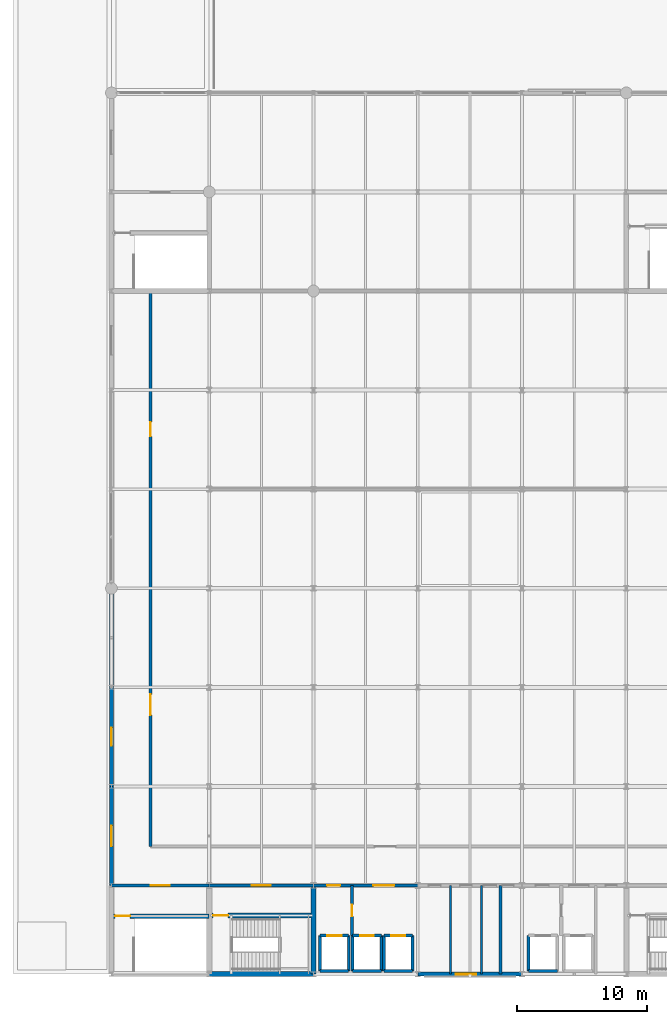
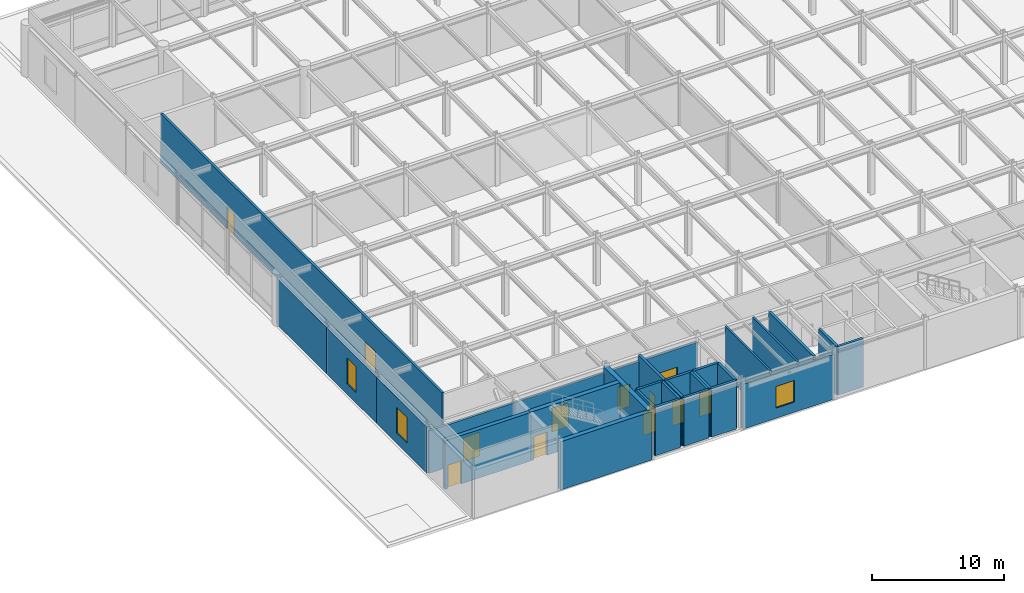
# One storey, part 33 of 43: 30 walls, 12 doors, 3 windows, 15 openings.
"""IFC4 building model written with IfcOpenShell, lengths in metres."""

import ifcopenshell
import ifcopenshell.guid

model = None  # the IFC model being written
_history = None  # IfcOwnerHistory: only IFC2X3 demands one
_inside = {}  # id of a spatial element -> (the spatial element, [elements in it])
_under = {}  # id of a project, library or spatial element -> (it, [spatial elements below it])
_declared = {}  # id of a project -> (the project, [libraries it declares])
_typed = {}  # id of a type object -> (the type object, [elements of that type])
_made_of = {}  # id of a material, layer set ... -> (it, [elements and type objects made of it])


def new_model(schema):
    """Start an empty IFC model of exactly this schema.

    Asked for "IFC4X3", IfcOpenShell would pick the latest addendum, in which some entities
    have other attributes; the version numbers below select the first issue.
    IFC2X3 requires an IfcOwnerHistory on every rooted entity: one is made here for all.
    """
    global model, _history
    if schema == "IFC4X3":
        model = ifcopenshell.file(schema_version=(4, 3, 0, 0))
    else:
        model = ifcopenshell.file(schema=schema)
    _inside.clear()
    _under.clear()
    _declared.clear()
    _typed.clear()
    _made_of.clear()
    _history = None
    if model.schema == "IFC2X3":
        org = make("IfcOrganization", Name="unknown")
        user = make(
            "IfcPersonAndOrganization",
            ThePerson=make("IfcPerson", FamilyName="unknown"),
            TheOrganization=org,
        )
        app = make(
            "IfcApplication",
            ApplicationDeveloper=org,
            Version="unknown",
            ApplicationFullName="unknown",
            ApplicationIdentifier="unknown",
        )
        _history = make(
            "IfcOwnerHistory",
            OwningUser=user,
            OwningApplication=app,
            ChangeAction="ADDED",
            CreationDate=0,
        )
    return model


def make(cls, **values):
    """One entity of the class cls with the attributes given. An attribute that is None is left unset."""
    return model.create_entity(
        cls, **{name: value for name, value in values.items() if value is not None}
    )


def rooted(cls, **values):
    """An entity with a GlobalId (a new one), such as an element, a storey or a relation."""
    return make(cls, GlobalId=ifcopenshell.guid.new(), OwnerHistory=_history, **values)


def si_unit(unit_type, name, prefix=None):
    """IfcSIUnit, for example si_unit("LENGTHUNIT", "METRE", prefix="MILLI")."""
    return make("IfcSIUnit", UnitType=unit_type, Prefix=prefix, Name=name)


def assignment(units):
    """IfcUnitAssignment: the units of a project."""
    return None if units is None else make("IfcUnitAssignment", Units=units)


def point(xyz):
    """IfcCartesianPoint."""
    return None if xyz is None else make("IfcCartesianPoint", Coordinates=xyz)


def direction(xyz):
    """IfcDirection."""
    return None if xyz is None else make("IfcDirection", DirectionRatios=xyz)


def frame(location, z_axis=None, x_axis=None):
    """IfcAxis2Placement3D, a coordinate frame: its origin and axes. An axis left out is left unset."""
    return make(
        "IfcAxis2Placement3D",
        Location=point(location),
        Axis=direction(z_axis),
        RefDirection=direction(x_axis),
    )


def frame_2d(location, x_axis=None):
    """IfcAxis2Placement2D, a coordinate frame in the plane: its origin and x axis."""
    return make(
        "IfcAxis2Placement2D", Location=point(location), RefDirection=direction(x_axis)
    )


def origin():
    """The frame at (0, 0, 0) with its axes left unset."""
    return frame((0.0, 0.0, 0.0))


def place(relative_to, where):
    """IfcLocalPlacement: puts the frame where relative to a parent placement (None: the world)."""
    return make(
        "IfcLocalPlacement", PlacementRelTo=relative_to, RelativePlacement=where
    )


def context(
    kind, dimensions, precision=None, world=None, true_north=None, identifier=None
):
    """IfcGeometricRepresentationContext, for example the 3D "Model" context."""
    return make(
        "IfcGeometricRepresentationContext",
        ContextIdentifier=identifier,
        ContextType=kind,
        CoordinateSpaceDimension=dimensions,
        Precision=precision,
        WorldCoordinateSystem=world,
        TrueNorth=true_north,
    )


def subcontext(parent, identifier, kind, view, scale=None):
    """IfcGeometricRepresentationSubContext, for example "Body" below "Model"."""
    return make(
        "IfcGeometricRepresentationSubContext",
        ContextIdentifier=identifier,
        ContextType=kind,
        ParentContext=parent,
        TargetScale=scale,
        TargetView=view,
    )


def project(units=None, contexts=None):
    """IfcProject with its units and contexts."""
    return rooted(
        "IfcProject",
        Name="project",
        RepresentationContexts=contexts,
        UnitsInContext=assignment(units),
    )


def spatial(cls, under=None, at=None, **own):
    """A site, building, storey or space (cls), placed at a placement, below another one or the project."""
    s = rooted(cls, ObjectPlacement=at, **own)
    if under is not None:
        _under.setdefault(under.id(), (under, []))[1].append(s)
    return s


def profile(cls, at=None, kind="AREA", **sizes):
    """A parametric profile (cls). Its sizes go by their IFC names, for example OverallWidth=200.0."""
    return make(cls, ProfileType=kind, Position=at, **sizes)


def rectangle(**sizes):
    """IfcRectangleProfileDef."""
    return profile("IfcRectangleProfileDef", **sizes)


def extrude(swept, where, along, depth):
    """IfcExtrudedAreaSolid: the profile swept, set in the frame where, extruded along a direction by depth."""
    return make(
        "IfcExtrudedAreaSolid",
        SweptArea=swept,
        Position=where,
        ExtrudedDirection=direction(along),
        Depth=depth,
    )


def shape(context_of_items, identifier, shape_type, items):
    """IfcShapeRepresentation: the items that make up one representation, for example the "Body"."""
    return make(
        "IfcShapeRepresentation",
        ContextOfItems=context_of_items,
        RepresentationIdentifier=identifier,
        RepresentationType=shape_type,
        Items=items,
    )


def material(Name=None, Category=None):
    """IfcMaterial."""
    return make("IfcMaterial", Name=Name, Category=Category)


def layer(
    of_material, thickness, ventilated=None, Name=None, Category=None, Priority=None
):
    """IfcMaterialLayer: one layer of a wall or slab, of a material (None: an air gap)."""
    return make(
        "IfcMaterialLayer",
        Material=of_material,
        LayerThickness=thickness,
        IsVentilated=ventilated,
        Name=Name,
        Category=Category,
        Priority=Priority,
    )


def layer_set(layers, Name=None):
    """IfcMaterialLayerSet."""
    return make("IfcMaterialLayerSet", MaterialLayers=layers, LayerSetName=Name)


def made_of(thing, what):
    """Note that an element or type object is made of a material, layer set ...; save() writes the relation."""
    if what is not None:
        _made_of.setdefault(what.id(), (what, []))[1].append(thing)
    return thing


def type_object(cls, material=None, **own):
    """A type object (cls), such as IfcWallType, which elements share."""
    return made_of(rooted(cls, **own), material)


def element(
    cls,
    number,
    at=None,
    inside=None,
    cuts=None,
    type_object=None,
    material=None,
    context=None,
    identifier="Body",
    shape_type=None,
    held_by="IfcProductDefinitionShape",
    body=None,
    shapes=None,
    **own,
):
    """One element of the class cls, such as IfcWall. Its Tag is "e" and its number.

    at: its placement. inside: the storey or other place that contains it. cuts: it is an
    opening in that element (IfcRelVoidsElement). A single representation is given by context,
    identifier, shape_type and body (its items); several are given by shapes. held_by: the class
    of the entity that holds the representations. save() writes the other relations.
    """
    e = rooted(cls, Tag="e%d" % number, ObjectPlacement=at, **own)
    if body is not None:
        shapes = [shape(context, identifier, shape_type, body)]
    if shapes is not None:
        e.Representation = make(held_by, Representations=shapes)
    if inside is not None:
        _inside.setdefault(inside.id(), (inside, []))[1].append(e)
    if cuts is not None:
        rooted(
            "IfcRelVoidsElement", RelatingBuildingElement=cuts, RelatedOpeningElement=e
        )
    if type_object is not None:
        _typed.setdefault(type_object.id(), (type_object, []))[1].append(e)
    return made_of(e, material)


def fill(opening, filler):
    """IfcRelFillsElement: the door or window that sits in an opening."""
    return rooted(
        "IfcRelFillsElement",
        RelatingOpeningElement=opening,
        RelatedBuildingElement=filler,
    )


def aggregate(whole, parts):
    """IfcRelAggregates: a whole, such as a stair, and the parts it consists of."""
    return rooted("IfcRelAggregates", RelatingObject=whole, RelatedObjects=parts)


def save(model, path):
    """Write the relations noted so far, then the file.

    IfcRelAggregates (storeys below a building ...), IfcRelContainedInSpatialStructure (elements
    in a storey), IfcRelDefinesByType, IfcRelAssociatesMaterial and IfcRelDeclares: one each for
    every whole, place, type object, material and project.
    """
    for whole, parts in _under.values():
        aggregate(whole, parts)
    for where, things in _inside.values():
        rooted(
            "IfcRelContainedInSpatialStructure",
            RelatedElements=things,
            RelatingStructure=where,
        )
    for kind, things in _typed.values():
        rooted("IfcRelDefinesByType", RelatedObjects=things, RelatingType=kind)
    for what, things in _made_of.values():
        rooted("IfcRelAssociatesMaterial", RelatedObjects=things, RelatingMaterial=what)
    for by, libraries in _declared.values():
        rooted("IfcRelDeclares", RelatingContext=by, RelatedDefinitions=libraries)
    model.write(path)


model = new_model("IFC4")

# Units and contexts
model_context = context("Model", 3, precision=1e-05, world=origin(), true_north=direction((0.0, 1.0)))
body_context = subcontext(model_context, "Body", "Model", "MODEL_VIEW")
ifc_project = project(units=[si_unit("LENGTHUNIT", "METRE"), si_unit("AREAUNIT", "SQUARE_METRE"), si_unit("VOLUMEUNIT", "CUBIC_METRE"), si_unit("PLANEANGLEUNIT", "RADIAN"), si_unit("MASSUNIT", "GRAM", prefix="KILO")], contexts=[model_context])

# Site, building, storey
site_placement = place(None, origin())
site = spatial("IfcSite", under=ifc_project, at=site_placement, CompositionType="ELEMENT")
building_placement = place(site_placement, origin())
building = spatial("IfcBuilding", under=site, at=building_placement, Name="Shalkamar Park Central Library", CompositionType="ELEMENT")
storey_placement = place(building_placement, frame((0.0, 0.0, 15.60009765625)))
storey = spatial("IfcBuildingStorey", under=building, at=storey_placement, Name="L04", CompositionType="ELEMENT", Elevation=15.60009765625)

# Wall, opening, door
ifc_material_1 = material(Name="Reinforced fire-compartment masonry wall", Category="masonry")
ifc_layer_1 = layer(ifc_material_1, 0.239990234375)
ifc_layer_set_1 = layer_set([ifc_layer_1], Name="CompartmentWall_240")
wall_type_1 = type_object("IfcWallType", Name="Compartment Wall 240", PredefinedType="PARTITIONING", material=ifc_layer_set_1)
wall_1_placement = place(storey_placement, frame((175.949951171875, 251.35009765625, 0.0), z_axis=(0.0, 0.0, 1.0), x_axis=(0.0, 1.0, 0.0)))
wall_1 = element("IfcWall", 1, at=wall_1_placement, inside=storey, type_object=wall_type_1, Name="Interior Partition WL-INT-L04-001", PredefinedType="PARTITIONING", context=body_context, shape_type="SweptSolid", body=[
    extrude(rectangle(XDim=3.849853515625, YDim=0.239990234375, at=frame_2d((1.9248046875, 0.0))), origin(), (0.0, 0.0, 1.0), 4.47998046875),
])
opening_1_placement = place(wall_1_placement, frame((1.47509765625, 0.0, 0.0)))
opening_1 = element("IfcOpeningElement", 2, at=opening_1_placement, cuts=wall_1, Name="Opening DR-L04-001", PredefinedType="OPENING", context=body_context, shape_type="SweptSolid", body=[
    extrude(rectangle(XDim=0.89990234375, YDim=2.10009765625, at=frame_2d((0.449951171875, 1.050048828125))), frame((0.0, 0.134765625, 0.0), z_axis=(0.0, -1.0, 0.0), x_axis=(1.0, 0.0, 0.0)), (0.0, 0.0, 1.0), 0.269775390625),
])
ifc_material_2 = material(Name="Steel S355", Category="steel")
door_type_1 = type_object("IfcDoorType", Name="Fire Door Single 900x2100", OperationType="NOTDEFINED", PredefinedType="DOOR", material=ifc_material_2)
door_1_placement = place(opening_1_placement, frame((0.89990234375, 0.0, 0.0), z_axis=(0.0, 0.0, 1.0), x_axis=(-1.0, 0.0, 0.0)))
door_1 = element("IfcDoor", 3, at=door_1_placement, inside=storey, type_object=door_type_1, Name="Fire Lobby Interconnect Door", OperationType="SINGLE_SWING_LEFT", OverallHeight=2.10009765625, OverallWidth=0.89990234375, PredefinedType="DOOR", context=body_context, shape_type="SweptSolid", body=[
    extrude(rectangle(XDim=0.89990234375, YDim=2.10009765625, at=frame_2d((0.449951171875, 1.050048828125))), frame((0.0, 0.02490234375, 0.0), z_axis=(0.0, -1.0, 0.0), x_axis=(1.0, 0.0, 0.0)), (0.0, 0.0, 1.0), 0.050048828125),
])
fill(opening_1, door_1)

# Wall, openings, doors
wall_2_placement = place(storey_placement, frame((173.0, 255.199951171875, 0.0), z_axis=(0.0, 0.0, 1.0), x_axis=(1.0, 0.0, 0.0)))
wall_2 = element("IfcWall", 4, at=wall_2_placement, inside=storey, type_object=wall_type_1, Name="Interior Partition WL-INT-L04-007", PredefinedType="PARTITIONING", context=body_context, shape_type="SweptSolid", body=[
    extrude(rectangle(XDim=8.0, YDim=0.239990234375, at=frame_2d((4.0, 0.0))), origin(), (0.0, 0.0, 1.0), 3.927978515625),
])
opening_2_placement = place(wall_2_placement, frame((1.050048828125, 0.0, 0.0)))
opening_2 = element("IfcOpeningElement", 5, at=opening_2_placement, cuts=wall_2, Name="Opening DR-L04-003", PredefinedType="OPENING", context=body_context, shape_type="SweptSolid", body=[
    extrude(rectangle(XDim=1.0, YDim=2.10009765625, at=frame_2d((0.5, 1.050048828125))), frame((0.0, 0.134765625, 0.0), z_axis=(0.0, -1.0, 0.0), x_axis=(1.0, 0.0, 0.0)), (0.0, 0.0, 1.0), 0.269775390625),
])
opening_3_placement = place(wall_2_placement, frame((4.60009765625, 0.0, 0.0)))
opening_3 = element("IfcOpeningElement", 6, at=opening_3_placement, cuts=wall_2, Name="Opening DR-L04-004", PredefinedType="OPENING", context=body_context, shape_type="SweptSolid", body=[
    extrude(rectangle(XDim=1.60009765625, YDim=2.25, at=frame_2d((0.800048828125, 1.125))), frame((0.0, 0.134765625, 0.0), z_axis=(0.0, -1.0, 0.0), x_axis=(1.0, 0.0, 0.0)), (0.0, 0.0, 1.0), 0.269775390625),
])
door_type_2 = type_object("IfcDoorType", Name="Fire Door Single 1000x2100", OperationType="NOTDEFINED", PredefinedType="DOOR", material=ifc_material_2)
door_2_placement = place(opening_2_placement, frame((1.0, 0.0, 0.0), z_axis=(0.0, 0.0, 1.0), x_axis=(-1.0, 0.0, 0.0)))
door_2 = element("IfcDoor", 7, at=door_2_placement, inside=storey, type_object=door_type_2, Name="West Firefighting Lobby Door", OperationType="SINGLE_SWING_RIGHT", OverallHeight=2.10009765625, OverallWidth=1.0, PredefinedType="DOOR", context=body_context, shape_type="SweptSolid", body=[
    extrude(rectangle(XDim=1.0, YDim=2.10009765625, at=frame_2d((0.5, 1.050048828125))), frame((0.0, 0.02490234375, 0.0), z_axis=(0.0, -1.0, 0.0), x_axis=(1.0, 0.0, 0.0)), (0.0, 0.0, 1.0), 0.050048828125),
])
fill(opening_2, door_2)
door_type_3 = type_object("IfcDoorType", Name="Interior Door Double 1600x2250", OperationType="DOUBLE_DOOR_SINGLE_SWING", PredefinedType="DOOR", material=ifc_material_2)
door_3_placement = place(opening_3_placement, origin())
door_3 = element("IfcDoor", 8, at=door_3_placement, inside=storey, type_object=door_type_3, Name="West Lift Lobby Entrance", OperationType="DOUBLE_DOOR_SINGLE_SWING", OverallHeight=2.25, OverallWidth=1.60009765625, PredefinedType="DOOR", context=body_context, shape_type="SweptSolid", body=[
    extrude(rectangle(XDim=1.60009765625, YDim=2.25, at=frame_2d((0.800048828125, 1.125))), frame((0.0, 0.02490234375, 0.0), z_axis=(0.0, -1.0, 0.0), x_axis=(1.0, 0.0, 0.0)), (0.0, 0.0, 1.0), 0.050048828125),
])
fill(opening_3, door_3)

# Wall, opening, door
ifc_material_3 = material(Name="Fire-rated corridor partition wall", Category="masonry")
ifc_layer_2 = layer(ifc_material_3, 0.199951171875)
ifc_layer_set_2 = layer_set([ifc_layer_2], Name="CorridorFireWall_200")
wall_type_2 = type_object("IfcWallType", Name="Corridor Fire Wall 200", PredefinedType="PARTITIONING", material=ifc_layer_set_2)
wall_3_placement = place(storey_placement, frame((165.0, 255.199951171875, 0.0), z_axis=(0.0, 0.0, 1.0), x_axis=(1.0, 0.0, 0.0)))
wall_3 = element("IfcWall", 9, at=wall_3_placement, inside=storey, type_object=wall_type_2, Name="CORE-T1 Vestibule North Wall (L04)", PredefinedType="PARTITIONING", context=body_context, shape_type="SweptSolid", body=[
    extrude(rectangle(XDim=8.0, YDim=0.199951171875, at=frame_2d((4.0, 0.0))), origin(), (0.0, 0.0, 1.0), 3.927978515625),
])
opening_4_placement = place(wall_3_placement, frame((3.27490234375, 0.0, 0.0)))
opening_4 = element("IfcOpeningElement", 10, at=opening_4_placement, cuts=wall_3, Name="Opening DR-ST-T1-L04-VEST", PredefinedType="OPENING", context=body_context, shape_type="SweptSolid", body=[
    extrude(rectangle(XDim=1.449951171875, YDim=2.199951171875, at=frame_2d((0.72509765625, 1.10009765625))), frame((0.0, 0.11474609375, 0.0), z_axis=(0.0, -1.0, 0.0), x_axis=(1.0, 0.0, 0.0)), (0.0, 0.0, 1.0), 0.229736328125),
])
door_type_4 = type_object("IfcDoorType", Name="Stair Vestibule Door 1450x2200", OperationType="DOUBLE_DOOR_SINGLE_SWING", PredefinedType="DOOR", material=ifc_material_2)
door_4_placement = place(opening_4_placement, frame((1.449951171875, 0.0, 0.0), z_axis=(0.0, 0.0, 1.0), x_axis=(-1.0, 0.0, 0.0)))
door_4 = element("IfcDoor", 11, at=door_4_placement, inside=storey, type_object=door_type_4, Name="Protected Stair ST-T1 Vestibule Door (L04)", OperationType="DOUBLE_DOOR_SINGLE_SWING", OverallHeight=2.199951171875, OverallWidth=1.449951171875, PredefinedType="DOOR", context=body_context, shape_type="SweptSolid", body=[
    extrude(rectangle(XDim=1.449951171875, YDim=2.199951171875, at=frame_2d((0.72509765625, 1.10009765625))), frame((0.0, 0.02490234375, 0.0), z_axis=(0.0, -1.0, 0.0), x_axis=(1.0, 0.0, 0.0)), (0.0, 0.0, 1.0), 0.050048828125),
])
fill(opening_4, door_4)

wall_4_placement = place(storey_placement, frame((157.5, 255.199951171875, 0.0), z_axis=(0.0, 0.0, 1.0), x_axis=(1.0, 0.0, 0.0)))
wall_4 = element("IfcWall", 12, at=wall_4_placement, inside=storey, type_object=wall_type_2, Name="CORE-P1 Vestibule North Wall (L04)", PredefinedType="PARTITIONING", context=body_context, shape_type="SweptSolid", body=[
    extrude(rectangle(XDim=7.5, YDim=0.199951171875, at=frame_2d((3.75, 0.0))), origin(), (0.0, 0.0, 1.0), 3.927978515625),
])
opening_5_placement = place(wall_4_placement, frame((3.02490234375, 0.0, 0.0)))
opening_5 = element("IfcOpeningElement", 13, at=opening_5_placement, cuts=wall_4, Name="Opening DR-ST-P1-L04-VEST", PredefinedType="OPENING", context=body_context, shape_type="SweptSolid", body=[
    extrude(rectangle(XDim=1.449951171875, YDim=2.199951171875, at=frame_2d((0.72509765625, 1.10009765625))), frame((0.0, 0.11474609375, 0.0), z_axis=(0.0, -1.0, 0.0), x_axis=(1.0, 0.0, 0.0)), (0.0, 0.0, 1.0), 0.229736328125),
])
door_5_placement = place(opening_5_placement, frame((1.449951171875, 0.0, 0.0), z_axis=(0.0, 0.0, 1.0), x_axis=(-1.0, 0.0, 0.0)))
door_5 = element("IfcDoor", 14, at=door_5_placement, inside=storey, type_object=door_type_4, Name="Protected Stair ST-P1 Vestibule Door (L04)", OperationType="DOUBLE_DOOR_SINGLE_SWING", OverallHeight=2.199951171875, OverallWidth=1.449951171875, PredefinedType="DOOR", context=body_context, shape_type="SweptSolid", body=[
    extrude(rectangle(XDim=1.449951171875, YDim=2.199951171875, at=frame_2d((0.72509765625, 1.10009765625))), frame((0.0, 0.02490234375, 0.0), z_axis=(0.0, -1.0, 0.0), x_axis=(1.0, 0.0, 0.0)), (0.0, 0.0, 1.0), 0.050048828125),
])
fill(opening_5, door_5)

# Wall, openings, doors
wall_5_placement = place(storey_placement, frame((160.5, 258.199951171875, 0.0), z_axis=(0.0, 0.0, 1.0), x_axis=(0.0, 1.0, 0.0)))
wall_5 = element("IfcWall", 15, at=wall_5_placement, inside=storey, type_object=wall_type_2, Name="Interior Partition WL-INT-L04-017", PredefinedType="PARTITIONING", context=body_context, shape_type="SweptSolid", body=[
    extrude(rectangle(XDim=42.60009765625, YDim=0.199951171875, at=frame_2d((21.300048828125, 0.0))), origin(), (0.0, 0.0, 1.0), 4.5498046875),
])
opening_6_placement = place(wall_5_placement, frame((10.06005859375, 0.0, 0.0)))
opening_6 = element("IfcOpeningElement", 16, at=opening_6_placement, cuts=wall_5, Name="Opening DR-L04-017", PredefinedType="OPENING", context=body_context, shape_type="SweptSolid", body=[
    extrude(rectangle(XDim=1.60009765625, YDim=2.25, at=frame_2d((0.800048828125, 1.125))), frame((0.0, 0.11474609375, 0.0), z_axis=(0.0, -1.0, 0.0), x_axis=(1.0, 0.0, 0.0)), (0.0, 0.0, 1.0), 0.229736328125),
])
opening_7_placement = place(wall_5_placement, frame((31.449951171875, 0.0, 0.0)))
opening_7 = element("IfcOpeningElement", 17, at=opening_7_placement, cuts=wall_5, Name="Opening DR-L04-018", PredefinedType="OPENING", context=body_context, shape_type="SweptSolid", body=[
    extrude(rectangle(XDim=1.10009765625, YDim=2.10009765625, at=frame_2d((0.550048828125, 1.050048828125))), frame((0.0, 0.11474609375, 0.0), z_axis=(0.0, -1.0, 0.0), x_axis=(1.0, 0.0, 0.0)), (0.0, 0.0, 1.0), 0.229736328125),
])
door_6_placement = place(opening_6_placement, frame((1.60009765625, 0.0, 0.0), z_axis=(0.0, 0.0, 1.0), x_axis=(-1.0, 0.0, 0.0)))
door_6 = element("IfcDoor", 18, at=door_6_placement, inside=storey, type_object=door_type_3, Name="Music Reading Room West Door", OperationType="DOUBLE_DOOR_SINGLE_SWING", OverallHeight=2.25, OverallWidth=1.60009765625, PredefinedType="DOOR", context=body_context, shape_type="SweptSolid", body=[
    extrude(rectangle(XDim=1.60009765625, YDim=2.25, at=frame_2d((0.800048828125, 1.125))), frame((0.0, 0.02490234375, 0.0), z_axis=(0.0, -1.0, 0.0), x_axis=(1.0, 0.0, 0.0)), (0.0, 0.0, 1.0), 0.050048828125),
])
fill(opening_6, door_6)
door_type_5 = type_object("IfcDoorType", Name="Interior Door Single 1100x2100", OperationType="NOTDEFINED", PredefinedType="DOOR", material=ifc_material_2)
door_7_placement = place(opening_7_placement, frame((1.10009765625, 0.0, 0.0), z_axis=(0.0, 0.0, 1.0), x_axis=(-1.0, 0.0, 0.0)))
door_7 = element("IfcDoor", 19, at=door_7_placement, inside=storey, type_object=door_type_5, Name="Audio Visual Seminar Door", OperationType="SINGLE_SWING_LEFT", OverallHeight=2.10009765625, OverallWidth=1.10009765625, PredefinedType="DOOR", context=body_context, shape_type="SweptSolid", body=[
    extrude(rectangle(XDim=1.10009765625, YDim=2.10009765625, at=frame_2d((0.550048828125, 1.050048828125))), frame((0.0, 0.02490234375, 0.0), z_axis=(0.0, -1.0, 0.0), x_axis=(1.0, 0.0, 0.0)), (0.0, 0.0, 1.0), 0.050048828125),
])
fill(opening_7, door_7)

# Walls
ifc_material_4 = material(Name="Concrete C40/50", Category="concrete")
ifc_layer_3 = layer(ifc_material_4, 0.219970703125)
ifc_layer_set_3 = layer_set([ifc_layer_3], Name="Concrete C40/50")
wall_type_3 = type_object("IfcWallType", Name="Lift Hoistway Shear Wall 220", PredefinedType="SHEAR", material=ifc_layer_set_3)
wall_6_placement = place(storey_placement, frame((173.5, 248.64990234375, 0.0), z_axis=(0.0, 0.0, 1.0), x_axis=(1.0, 0.0, 0.0)))
element("IfcWall", 20, at=wall_6_placement, inside=storey, type_object=wall_type_3, Name="Lift FFL-01 Hoistway South Wall (L04)", PredefinedType="SHEAR", context=body_context, shape_type="SweptSolid", body=[
    extrude(rectangle(XDim=2.199951171875, YDim=0.219970703125, at=frame_2d((1.10009765625, 0.0))), origin(), (0.0, 0.0, 1.0), 4.47998046875),
])
for number, where, z_axis, x_axis, name in (
    (21, (173.5, 248.64990234375, 0.0), (0.0, 0.0, 1.0), (0.0, 1.0, 0.0), "Lift FFL-01 Hoistway West Wall (L04)"),
    (22, (175.699951171875, 248.64990234375, 0.0), (0.0, 0.0, 1.0), (0.0, 1.0, 0.0), "Lift FFL-01 Hoistway East Wall (L04)"),
):
    element("IfcWall", number, at=place(storey_placement, frame(where, z_axis=z_axis, x_axis=x_axis)), inside=storey, type_object=wall_type_3, Name=name, PredefinedType="SHEAR", context=body_context, shape_type="SweptSolid", body=[
        extrude(rectangle(XDim=2.7001953125, YDim=0.219970703125, at=frame_2d((1.35009765625, 0.0))), origin(), (0.0, 0.0, 1.0), 4.47998046875),
    ])

# Wall, opening, door
wall_7_placement = place(storey_placement, frame((173.5, 251.35009765625, 0.0), z_axis=(0.0, 0.0, 1.0), x_axis=(1.0, 0.0, 0.0)))
wall_7 = element("IfcWall", 23, at=wall_7_placement, inside=storey, type_object=wall_type_3, Name="Lift FFL-01 Hoistway Front Wall (L04)", PredefinedType="SHEAR", context=body_context, shape_type="SweptSolid", body=[
    extrude(rectangle(XDim=2.199951171875, YDim=0.219970703125, at=frame_2d((1.10009765625, 0.0))), origin(), (0.0, 0.0, 1.0), 4.47998046875),
])
opening_8_placement = place(wall_7_placement, frame((0.550048828125, 0.0, 0.0)))
opening_8 = element("IfcOpeningElement", 24, at=opening_8_placement, cuts=wall_7, Name="Opening LD-FFL-01-L04", PredefinedType="OPENING", context=body_context, shape_type="SweptSolid", body=[
    extrude(rectangle(XDim=1.10009765625, YDim=2.14990234375, at=frame_2d((0.550048828125, 1.074951171875))), frame((0.0, 0.125, 0.0), z_axis=(0.0, -1.0, 0.0), x_axis=(1.0, 0.0, 0.0)), (0.0, 0.0, 1.0), 0.249755859375),
])
door_type_6 = type_object("IfcDoorType", Name="Fire Lift Landing Door 1100x2150", OperationType="DOUBLE_DOOR_SLIDING", PredefinedType="USERDEFINED", material=ifc_material_2)
door_8_placement = place(opening_8_placement, origin())
door_8 = element("IfcDoor", 25, at=door_8_placement, inside=storey, type_object=door_type_6, Name="Lift FFL-01 Sliding Landing Door (L04)", ObjectType="SLIDING LANDING DOOR", OperationType="DOUBLE_DOOR_SLIDING", OverallHeight=2.14990234375, OverallWidth=1.10009765625, PredefinedType="USERDEFINED", context=body_context, shape_type="SweptSolid", body=[
    extrude(rectangle(XDim=1.10009765625, YDim=2.14990234375, at=frame_2d((0.550048828125, 1.074951171875))), frame((0.0, 0.02490234375, 0.0), z_axis=(0.0, -1.0, 0.0), x_axis=(1.0, 0.0, 0.0)), (0.0, 0.0, 1.0), 0.050048828125),
])
fill(opening_8, door_8)

# Walls
wall_8_placement = place(storey_placement, frame((176.0, 248.64990234375, 0.0), z_axis=(0.0, 0.0, 1.0), x_axis=(1.0, 0.0, 0.0)))
element("IfcWall", 26, at=wall_8_placement, inside=storey, type_object=wall_type_3, Name="Lift LT-01 Hoistway South Wall (L04)", PredefinedType="SHEAR", context=body_context, shape_type="SweptSolid", body=[
    extrude(rectangle(XDim=2.199951171875, YDim=0.219970703125, at=frame_2d((1.10009765625, 0.0))), origin(), (0.0, 0.0, 1.0), 4.47998046875),
])
for number, where, z_axis, x_axis, name in (
    (27, (176.0, 248.64990234375, 0.0), (0.0, 0.0, 1.0), (0.0, 1.0, 0.0), "Lift LT-01 Hoistway West Wall (L04)"),
    (28, (178.199951171875, 248.64990234375, 0.0), (0.0, 0.0, 1.0), (0.0, 1.0, 0.0), "Lift LT-01 Hoistway East Wall (L04)"),
):
    element("IfcWall", number, at=place(storey_placement, frame(where, z_axis=z_axis, x_axis=x_axis)), inside=storey, type_object=wall_type_3, Name=name, PredefinedType="SHEAR", context=body_context, shape_type="SweptSolid", body=[
        extrude(rectangle(XDim=2.7001953125, YDim=0.219970703125, at=frame_2d((1.35009765625, 0.0))), origin(), (0.0, 0.0, 1.0), 4.47998046875),
    ])

# Wall, opening, door
wall_9_placement = place(storey_placement, frame((176.0, 251.35009765625, 0.0), z_axis=(0.0, 0.0, 1.0), x_axis=(1.0, 0.0, 0.0)))
wall_9 = element("IfcWall", 29, at=wall_9_placement, inside=storey, type_object=wall_type_3, Name="Lift LT-01 Hoistway Front Wall (L04)", PredefinedType="SHEAR", context=body_context, shape_type="SweptSolid", body=[
    extrude(rectangle(XDim=2.199951171875, YDim=0.219970703125, at=frame_2d((1.10009765625, 0.0))), origin(), (0.0, 0.0, 1.0), 4.47998046875),
])
opening_9_placement = place(wall_9_placement, frame((0.574951171875, 0.0, 0.0)))
opening_9 = element("IfcOpeningElement", 30, at=opening_9_placement, cuts=wall_9, Name="Opening LD-LT-01-L04", PredefinedType="OPENING", context=body_context, shape_type="SweptSolid", body=[
    extrude(rectangle(XDim=1.050048828125, YDim=2.14990234375, at=frame_2d((0.52490234375, 1.074951171875))), frame((0.0, 0.125, 0.0), z_axis=(0.0, -1.0, 0.0), x_axis=(1.0, 0.0, 0.0)), (0.0, 0.0, 1.0), 0.249755859375),
])
door_type_7 = type_object("IfcDoorType", Name="Passenger Lift Landing Door 1050x2150", OperationType="DOUBLE_DOOR_SLIDING", PredefinedType="USERDEFINED", material=ifc_material_2)
door_9_placement = place(opening_9_placement, origin())
door_9 = element("IfcDoor", 31, at=door_9_placement, inside=storey, type_object=door_type_7, Name="Lift LT-01 Sliding Landing Door (L04)", ObjectType="SLIDING LANDING DOOR", OperationType="DOUBLE_DOOR_SLIDING", OverallHeight=2.14990234375, OverallWidth=1.050048828125, PredefinedType="USERDEFINED", context=body_context, shape_type="SweptSolid", body=[
    extrude(rectangle(XDim=1.050048828125, YDim=2.14990234375, at=frame_2d((0.52490234375, 1.074951171875))), frame((0.0, 0.02490234375, 0.0), z_axis=(0.0, -1.0, 0.0), x_axis=(1.0, 0.0, 0.0)), (0.0, 0.0, 1.0), 0.050048828125),
])
fill(opening_9, door_9)

# Walls
wall_10_placement = place(storey_placement, frame((178.39990234375, 248.64990234375, 0.0), z_axis=(0.0, 0.0, 1.0), x_axis=(1.0, 0.0, 0.0)))
element("IfcWall", 32, at=wall_10_placement, inside=storey, type_object=wall_type_3, Name="Lift LT-02 Hoistway South Wall (L04)", PredefinedType="SHEAR", context=body_context, shape_type="SweptSolid", body=[
    extrude(rectangle(XDim=2.2001953125, YDim=0.219970703125, at=frame_2d((1.10009765625, 0.0))), origin(), (0.0, 0.0, 1.0), 4.47998046875),
])
for number, where, z_axis, x_axis, name in (
    (33, (178.39990234375, 248.64990234375, 0.0), (0.0, 0.0, 1.0), (0.0, 1.0, 0.0), "Lift LT-02 Hoistway West Wall (L04)"),
    (34, (180.60009765625, 248.64990234375, 0.0), (0.0, 0.0, 1.0), (0.0, 1.0, 0.0), "Lift LT-02 Hoistway East Wall (L04)"),
):
    element("IfcWall", number, at=place(storey_placement, frame(where, z_axis=z_axis, x_axis=x_axis)), inside=storey, type_object=wall_type_3, Name=name, PredefinedType="SHEAR", context=body_context, shape_type="SweptSolid", body=[
        extrude(rectangle(XDim=2.7001953125, YDim=0.219970703125, at=frame_2d((1.35009765625, 0.0))), origin(), (0.0, 0.0, 1.0), 4.47998046875),
    ])

# Wall, opening, door
wall_11_placement = place(storey_placement, frame((178.39990234375, 251.35009765625, 0.0), z_axis=(0.0, 0.0, 1.0), x_axis=(1.0, 0.0, 0.0)))
wall_11 = element("IfcWall", 35, at=wall_11_placement, inside=storey, type_object=wall_type_3, Name="Lift LT-02 Hoistway Front Wall (L04)", PredefinedType="SHEAR", context=body_context, shape_type="SweptSolid", body=[
    extrude(rectangle(XDim=2.2001953125, YDim=0.219970703125, at=frame_2d((1.10009765625, 0.0))), origin(), (0.0, 0.0, 1.0), 4.47998046875),
])
opening_10_placement = place(wall_11_placement, frame((0.574951171875, 0.0, 0.0)))
opening_10 = element("IfcOpeningElement", 36, at=opening_10_placement, cuts=wall_11, Name="Opening LD-LT-02-L04", PredefinedType="OPENING", context=body_context, shape_type="SweptSolid", body=[
    extrude(rectangle(XDim=1.050048828125, YDim=2.14990234375, at=frame_2d((0.52490234375, 1.074951171875))), frame((0.0, 0.125, 0.0), z_axis=(0.0, -1.0, 0.0), x_axis=(1.0, 0.0, 0.0)), (0.0, 0.0, 1.0), 0.249755859375),
])
door_10_placement = place(opening_10_placement, origin())
door_10 = element("IfcDoor", 37, at=door_10_placement, inside=storey, type_object=door_type_7, Name="Lift LT-02 Sliding Landing Door (L04)", ObjectType="SLIDING LANDING DOOR", OperationType="DOUBLE_DOOR_SLIDING", OverallHeight=2.14990234375, OverallWidth=1.050048828125, PredefinedType="USERDEFINED", context=body_context, shape_type="SweptSolid", body=[
    extrude(rectangle(XDim=1.050048828125, YDim=2.14990234375, at=frame_2d((0.52490234375, 1.074951171875))), frame((0.0, 0.02490234375, 0.0), z_axis=(0.0, -1.0, 0.0), x_axis=(1.0, 0.0, 0.0)), (0.0, 0.0, 1.0), 0.050048828125),
])
fill(opening_10, door_10)

# Walls
wall_12_placement = place(storey_placement, frame((189.5, 248.64990234375, 0.0), z_axis=(0.0, 0.0, 1.0), x_axis=(1.0, 0.0, 0.0)))
element("IfcWall", 38, at=wall_12_placement, inside=storey, type_object=wall_type_3, Name="Lift FFL-02 Hoistway South Wall (L04)", PredefinedType="SHEAR", context=body_context, shape_type="SweptSolid", body=[
    extrude(rectangle(XDim=2.199951171875, YDim=0.219970703125, at=frame_2d((1.10009765625, 0.0))), origin(), (0.0, 0.0, 1.0), 4.47998046875),
])
wall_13_placement = place(storey_placement, frame((189.5, 248.64990234375, 0.0), z_axis=(0.0, 0.0, 1.0), x_axis=(0.0, 1.0, 0.0)))
element("IfcWall", 39, at=wall_13_placement, inside=storey, type_object=wall_type_3, Name="Lift FFL-02 Hoistway West Wall (L04)", PredefinedType="SHEAR", context=body_context, shape_type="SweptSolid", body=[
    extrude(rectangle(XDim=2.7001953125, YDim=0.219970703125, at=frame_2d((1.35009765625, 0.0))), origin(), (0.0, 0.0, 1.0), 4.47998046875),
])
ifc_material_5 = material(Name="Moisture-resistant sanitary partition", Category="masonry")
ifc_layer_4 = layer(ifc_material_5, 0.159912109375)
ifc_layer_set_4 = layer_set([ifc_layer_4], Name="PlumbingChaseWall_160")
wall_type_4 = type_object("IfcWallType", Name="Plumbing Chase Wall 160", PredefinedType="PARTITIONING", material=ifc_layer_set_4)
for number, where, z_axis, x_axis, name in (
    (40, (183.5, 248.39990234375, 0.0), (0.0, 0.0, 1.0), (0.0, 1.0, 0.0), "Interior Partition WL-INT-L04-004"),
    (41, (185.89990234375, 248.39990234375, 0.0), (0.0, 0.0, 1.0), (0.0, 1.0, 0.0), "Interior Partition WL-INT-L04-005"),
):
    element("IfcWall", number, at=place(storey_placement, frame(where, z_axis=z_axis, x_axis=x_axis)), inside=storey, type_object=wall_type_4, Name=name, PredefinedType="PARTITIONING", context=body_context, shape_type="SweptSolid", body=[
        extrude(rectangle(XDim=6.800048828125, YDim=0.159912109375, at=frame_2d((3.39990234375, 0.0))), origin(), (0.0, 0.0, 1.0), 4.47998046875),
    ])

# Wall, opening, door
ifc_layer_5 = layer(ifc_material_4, 0.35009765625)
ifc_layer_set_5 = layer_set([ifc_layer_5], Name="Concrete C40/50")
wall_type_5 = type_object("IfcWallType", Name="Podium Core Shear Wall 350", PredefinedType="SHEAR", material=ifc_layer_set_5)
wall_14_placement = place(storey_placement, frame((157.5, 252.85009765625, 0.0), z_axis=(0.0, 0.0, 1.0), x_axis=(1.0, 0.0, 0.0)))
wall_14 = element("IfcWall", 42, at=wall_14_placement, inside=storey, type_object=wall_type_5, Name="CORE-P1 Stairwell Wall (L04)", PredefinedType="SHEAR", context=body_context, shape_type="SweptSolid", body=[
    extrude(rectangle(XDim=7.5, YDim=0.35009765625, at=frame_2d((3.75, 0.0))), origin(), (0.0, 0.0, 1.0), 4.47998046875),
])
opening_11_placement = place(wall_14_placement, frame((0.27490234375, 0.0, 0.0)))
opening_11 = element("IfcOpeningElement", 43, at=opening_11_placement, cuts=wall_14, Name="Opening DR-ST-P1-L04-IN", PredefinedType="OPENING", context=body_context, shape_type="SweptSolid", body=[
    extrude(rectangle(XDim=1.14990234375, YDim=2.14990234375, at=frame_2d((0.574951171875, 1.074951171875))), frame((0.0, 0.18994140625, 0.0), z_axis=(0.0, -1.0, 0.0), x_axis=(1.0, 0.0, 0.0)), (0.0, 0.0, 1.0), 0.3798828125),
])
door_type_8 = type_object("IfcDoorType", Name="Stair Core Exit Door 1150x2150", OperationType="NOTDEFINED", PredefinedType="DOOR", material=ifc_material_2)
door_11_placement = place(opening_11_placement, frame((1.14990234375, 0.0, 0.0), z_axis=(0.0, 0.0, 1.0), x_axis=(-1.0, 0.0, 0.0)))
door_11 = element("IfcDoor", 44, at=door_11_placement, inside=storey, type_object=door_type_8, Name="Protected Stair ST-P1 Exit Door (L04)", OperationType="SINGLE_SWING_RIGHT", OverallHeight=2.14990234375, OverallWidth=1.14990234375, PredefinedType="DOOR", context=body_context, shape_type="SweptSolid", body=[
    extrude(rectangle(XDim=1.14990234375, YDim=2.14990234375, at=frame_2d((0.574951171875, 1.074951171875))), frame((0.0, 0.02490234375, 0.0), z_axis=(0.0, -1.0, 0.0), x_axis=(1.0, 0.0, 0.0)), (0.0, 0.0, 1.0), 0.050048828125),
])
fill(opening_11, door_11)

# Walls
ifc_material_6 = material(Name="Fire-rated shaft enclosure wall", Category="masonry")
ifc_layer_6 = layer(ifc_material_6, 0.219970703125)
ifc_layer_set_6 = layer_set([ifc_layer_6], Name="ShaftWall_220")
wall_type_6 = type_object("IfcWallType", Name="Shaft Wall 220", PredefinedType="PARTITIONING", material=ifc_layer_set_6)
wall_15_placement = place(storey_placement, frame((187.35009765625, 248.39990234375, 0.0), z_axis=(0.0, 0.0, 1.0), x_axis=(0.0, 1.0, 0.0)))
element("IfcWall", 45, at=wall_15_placement, inside=storey, type_object=wall_type_6, Name="Interior Partition WL-INT-L04-006", PredefinedType="PARTITIONING", context=body_context, shape_type="SweptSolid", body=[
    extrude(rectangle(XDim=6.800048828125, YDim=0.219970703125, at=frame_2d((3.39990234375, 0.0))), origin(), (0.0, 0.0, 1.0), 4.47998046875),
])
ifc_layer_7 = layer(ifc_material_4, 0.39990234375)
ifc_layer_set_7 = layer_set([ifc_layer_7], Name="Concrete C40/50")
wall_type_7 = type_object("IfcWallType", Name="Tower Core Shear Wall 400", PredefinedType="SHEAR", material=ifc_layer_set_7)
wall_16_placement = place(storey_placement, frame((165.0, 248.39990234375, 0.0), z_axis=(0.0, 0.0, 1.0), x_axis=(1.0, 0.0, 0.0)))
element("IfcWall", 46, at=wall_16_placement, inside=storey, type_object=wall_type_7, Name="CORE-T1 South Shear Wall (L04)", PredefinedType="SHEAR", context=body_context, shape_type="SweptSolid", body=[
    extrude(rectangle(XDim=8.0, YDim=0.39990234375, at=frame_2d((4.0, 0.0))), origin(), (0.0, 0.0, 1.0), 4.47998046875),
])
wall_17_placement = place(storey_placement, frame((173.0, 248.39990234375, 0.0), z_axis=(0.0, 0.0, 1.0), x_axis=(0.0, 1.0, 0.0)))
element("IfcWall", 47, at=wall_17_placement, inside=storey, type_object=wall_type_7, Name="CORE-T1 East Shear Wall (L04)", PredefinedType="SHEAR", context=body_context, shape_type="SweptSolid", body=[
    extrude(rectangle(XDim=6.800048828125, YDim=0.39990234375, at=frame_2d((3.39990234375, 0.0))), origin(), (0.0, 0.0, 1.0), 4.47998046875),
])

# Wall, opening, door
wall_18_placement = place(storey_placement, frame((165.0, 252.89990234375, 0.0), z_axis=(0.0, 0.0, 1.0), x_axis=(1.0, 0.0, 0.0)))
wall_18 = element("IfcWall", 48, at=wall_18_placement, inside=storey, type_object=wall_type_7, Name="CORE-T1 Stairwell Wall (L04)", PredefinedType="SHEAR", context=body_context, shape_type="SweptSolid", body=[
    extrude(rectangle(XDim=8.0, YDim=0.39990234375, at=frame_2d((4.0, 0.0))), origin(), (0.0, 0.0, 1.0), 4.47998046875),
])
opening_12_placement = place(wall_18_placement, frame((0.300048828125, 0.0, 0.0)))
opening_12 = element("IfcOpeningElement", 49, at=opening_12_placement, cuts=wall_18, Name="Opening DR-ST-T1-L04-IN", PredefinedType="OPENING", context=body_context, shape_type="SweptSolid", body=[
    extrude(rectangle(XDim=1.14990234375, YDim=2.14990234375, at=frame_2d((0.574951171875, 1.074951171875))), frame((0.0, 0.21484375, 0.0), z_axis=(0.0, -1.0, 0.0), x_axis=(1.0, 0.0, 0.0)), (0.0, 0.0, 1.0), 0.4296875),
])
door_12_placement = place(opening_12_placement, frame((1.14990234375, 0.0, 0.0), z_axis=(0.0, 0.0, 1.0), x_axis=(-1.0, 0.0, 0.0)))
door_12 = element("IfcDoor", 50, at=door_12_placement, inside=storey, type_object=door_type_8, Name="Protected Stair ST-T1 Exit Door (L04)", OperationType="SINGLE_SWING_RIGHT", OverallHeight=2.14990234375, OverallWidth=1.14990234375, PredefinedType="DOOR", context=body_context, shape_type="SweptSolid", body=[
    extrude(rectangle(XDim=1.14990234375, YDim=2.14990234375, at=frame_2d((0.574951171875, 1.074951171875))), frame((0.0, 0.02490234375, 0.0), z_axis=(0.0, -1.0, 0.0), x_axis=(1.0, 0.0, 0.0)), (0.0, 0.0, 1.0), 0.050048828125),
])
fill(opening_12, door_12)

# Wall, opening, window
ifc_material_7 = material(Name="Travertine insulated rainscreen", Category="masonry")
ifc_layer_8 = layer(ifc_material_7, 0.2900390625)
ifc_layer_set_8 = layer_set([ifc_layer_8], Name="TravertineTerracottaWall_290")
wall_type_8 = type_object("IfcWallType", Name="Travertine Terracotta Wall 290", PredefinedType="SOLIDWALL", material=ifc_layer_set_8)
wall_19_placement = place(storey_placement, frame((181.006103515625, 248.39990234375, 0.0), z_axis=(0.0, 0.0, 1.0), x_axis=(1.0, 0.0, 0.0)))
wall_19 = element("IfcWall", 51, at=wall_19_placement, inside=storey, type_object=wall_type_8, Name="Exterior Facade Wall WL-EXT-L04-108", PredefinedType="SOLIDWALL", context=body_context, shape_type="SweptSolid", body=[
    extrude(rectangle(XDim=7.98779296875, YDim=0.2900390625, at=frame_2d((3.993896484375, 0.0))), origin(), (0.0, 0.0, 1.0), 4.16796875),
])
opening_13_placement = place(wall_19_placement, frame((2.89404296875, 0.0, 0.949951171875)))
opening_13 = element("IfcOpeningElement", 52, at=opening_13_placement, cuts=wall_19, Name="Opening WN-13", PredefinedType="OPENING", context=body_context, shape_type="SweptSolid", body=[
    extrude(rectangle(XDim=1.60009765625, YDim=2.0, at=frame_2d((0.800048828125, 1.0))), frame((0.0, 0.159912109375, 0.0), z_axis=(0.0, -1.0, 0.0), x_axis=(1.0, 0.0, 0.0)), (0.0, 0.0, 1.0), 0.31982421875),
])
ifc_material_8 = material(Name="Thermally broken aluminium and triple low-e glass", Category="glass")
window_type_1 = type_object("IfcWindowType", Name="Tower Window 1600x2000", PartitioningType="SINGLE_PANEL", PredefinedType="WINDOW", material=ifc_material_8)
window_1_placement = place(opening_13_placement, origin())
window_1 = element("IfcWindow", 53, at=window_1_placement, inside=storey, type_object=window_type_1, Name="Facade Window WN-L04-070", OverallHeight=2.0, OverallWidth=1.60009765625, PartitioningType="SINGLE_PANEL", PredefinedType="WINDOW", context=body_context, shape_type="SweptSolid", body=[
    extrude(rectangle(XDim=1.60009765625, YDim=2.0, at=frame_2d((0.800048828125, 1.0))), frame((0.0, 0.030029296875, 0.0), z_axis=(0.0, -1.0, 0.0), x_axis=(1.0, 0.0, 0.0)), (0.0, 0.0, 1.0), 0.06005859375),
])
fill(opening_13, window_1)

wall_20_placement = place(storey_placement, frame((157.5, 255.2060546875, 0.0), z_axis=(0.0, 0.0, 1.0), x_axis=(0.0, 1.0, 0.0)))
wall_20 = element("IfcWall", 54, at=wall_20_placement, inside=storey, type_object=wall_type_8, Name="Exterior Facade Wall WL-EXT-L04-116", PredefinedType="SOLIDWALL", context=body_context, shape_type="SweptSolid", body=[
    extrude(rectangle(XDim=7.587890625, YDim=0.2900390625, at=frame_2d((3.7939453125, 0.0))), origin(), (0.0, 0.0, 1.0), 4.27783203125),
])
opening_14_placement = place(wall_20_placement, frame((2.993896484375, 0.0, 0.949951171875)))
opening_14 = element("IfcOpeningElement", 55, at=opening_14_placement, cuts=wall_20, Name="Opening WN-07", PredefinedType="OPENING", context=body_context, shape_type="SweptSolid", body=[
    extrude(rectangle(XDim=1.60009765625, YDim=2.39990234375, at=frame_2d((0.800048828125, 1.199951171875))), frame((0.0, 0.159912109375, 0.0), z_axis=(0.0, -1.0, 0.0), x_axis=(1.0, 0.0, 0.0)), (0.0, 0.0, 1.0), 0.31982421875),
])
window_type_2 = type_object("IfcWindowType", Name="Podium Window 1600x2400", PartitioningType="SINGLE_PANEL", PredefinedType="WINDOW", material=ifc_material_8)
window_2_placement = place(opening_14_placement, origin())
window_2 = element("IfcWindow", 56, at=window_2_placement, inside=storey, type_object=window_type_2, Name="Facade Window WN-L04-075", OverallHeight=2.39990234375, OverallWidth=1.60009765625, PartitioningType="SINGLE_PANEL", PredefinedType="WINDOW", context=body_context, shape_type="SweptSolid", body=[
    extrude(rectangle(XDim=1.60009765625, YDim=2.39990234375, at=frame_2d((0.800048828125, 1.199951171875))), frame((0.0, 0.030029296875, 0.0), z_axis=(0.0, -1.0, 0.0), x_axis=(1.0, 0.0, 0.0)), (0.0, 0.0, 1.0), 0.06005859375),
])
fill(opening_14, window_2)

wall_21_placement = place(storey_placement, frame((157.5, 262.805908203125, 0.0), z_axis=(0.0, 0.0, 1.0), x_axis=(0.0, 1.0, 0.0)))
wall_21 = element("IfcWall", 57, at=wall_21_placement, inside=storey, type_object=wall_type_8, Name="Exterior Facade Wall WL-EXT-L04-117", PredefinedType="SOLIDWALL", context=body_context, shape_type="SweptSolid", body=[
    extrude(rectangle(XDim=7.588134765625, YDim=0.2900390625, at=frame_2d((3.7939453125, 0.0))), origin(), (0.0, 0.0, 1.0), 4.27783203125),
])
opening_15_placement = place(wall_21_placement, frame((3.093994140625, 0.0, 0.949951171875)))
opening_15 = element("IfcOpeningElement", 58, at=opening_15_placement, cuts=wall_21, Name="Opening WN-08", PredefinedType="OPENING", context=body_context, shape_type="SweptSolid", body=[
    extrude(rectangle(XDim=1.39990234375, YDim=2.39990234375, at=frame_2d((0.699951171875, 1.199951171875))), frame((0.0, 0.159912109375, 0.0), z_axis=(0.0, -1.0, 0.0), x_axis=(1.0, 0.0, 0.0)), (0.0, 0.0, 1.0), 0.31982421875),
])
window_type_3 = type_object("IfcWindowType", Name="Podium Window 1400x2400", PartitioningType="SINGLE_PANEL", PredefinedType="WINDOW", material=ifc_material_8)
window_3_placement = place(opening_15_placement, origin())
window_3 = element("IfcWindow", 59, at=window_3_placement, inside=storey, type_object=window_type_3, Name="Facade Window WN-L04-076", OverallHeight=2.39990234375, OverallWidth=1.39990234375, PartitioningType="SINGLE_PANEL", PredefinedType="WINDOW", context=body_context, shape_type="SweptSolid", body=[
    extrude(rectangle(XDim=1.39990234375, YDim=2.39990234375, at=frame_2d((0.699951171875, 1.199951171875))), frame((0.0, 0.030029296875, 0.0), z_axis=(0.0, -1.0, 0.0), x_axis=(1.0, 0.0, 0.0)), (0.0, 0.0, 1.0), 0.06005859375),
])
fill(opening_15, window_3)

# Wall
wall_22_placement = place(storey_placement, frame((157.5, 270.406005859375, 0.0), z_axis=(0.0, 0.0, 1.0), x_axis=(0.0, 1.0, 0.0)))
element("IfcWall", 60, at=wall_22_placement, inside=storey, type_object=wall_type_8, Name="Exterior Facade Wall WL-EXT-L04-118", PredefinedType="SOLIDWALL", context=body_context, shape_type="SweptSolid", body=[
    extrude(rectangle(XDim=7.587890625, YDim=0.2900390625, at=frame_2d((3.7939453125, 0.0))), origin(), (0.0, 0.0, 1.0), 4.27783203125),
])

save(model, "model.ifc")
